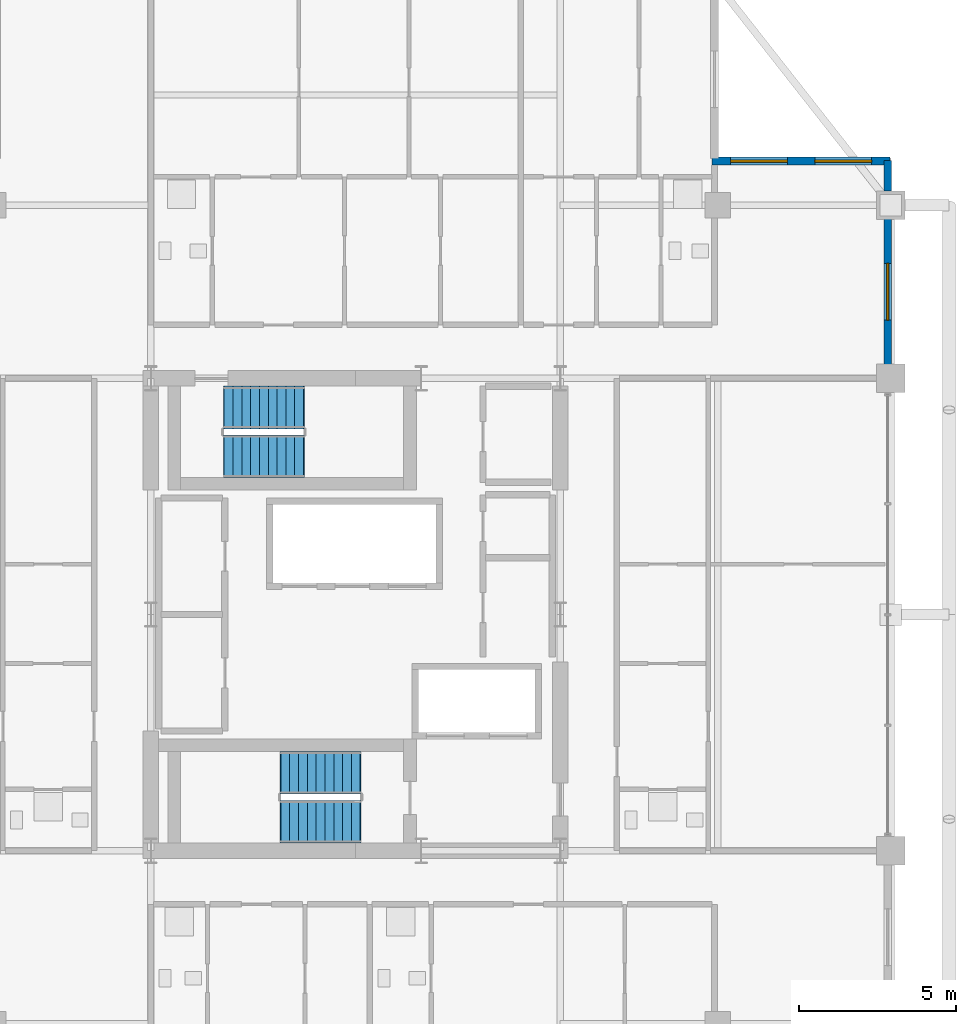
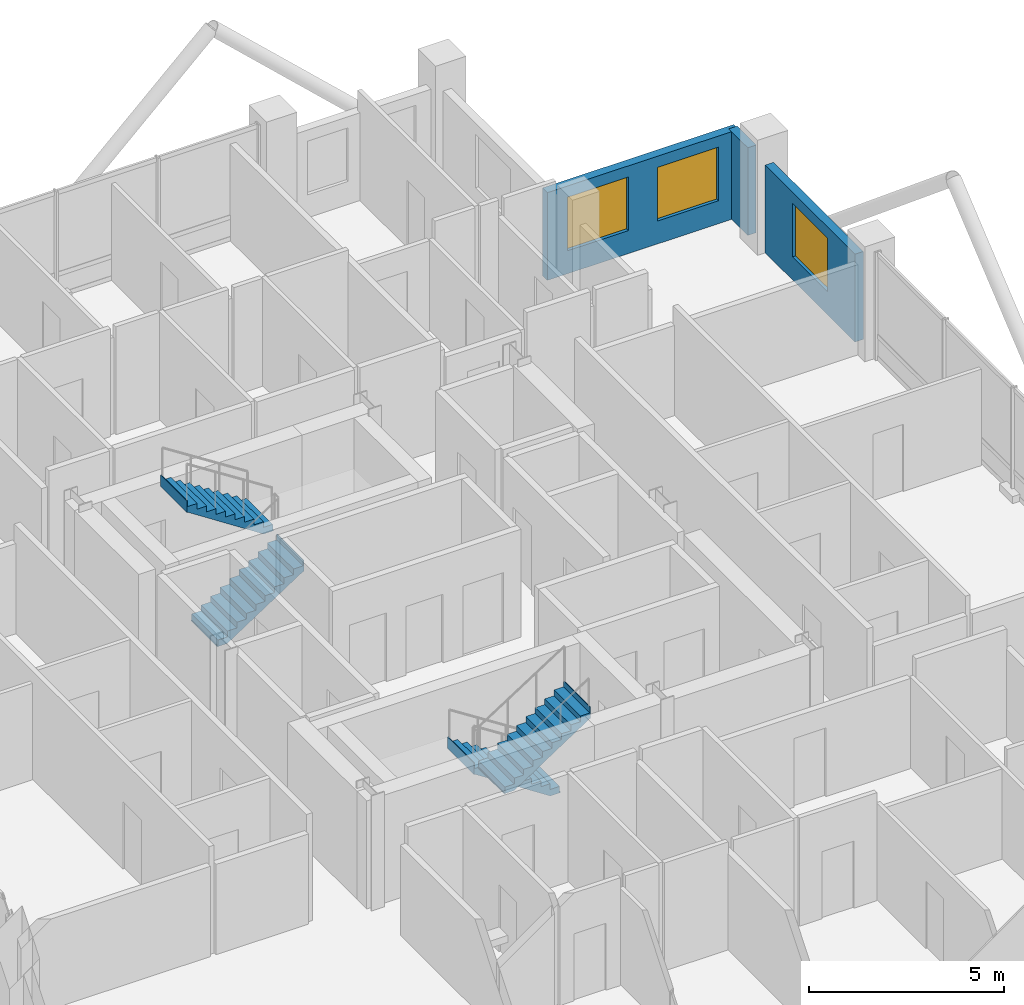
# One storey, part 23 of 25: 4 stair flights, 3 walls, 3 windows, 3 openings, 2 elements without a shape of their own.
"""IFC4 building model written with IfcOpenShell, lengths in metres."""

from ifc_helpers import new_model, si_unit, direction, frame, frame_2d, origin, place, context, subcontext, project, spatial, polyline, rectangle, outline, extrude, material, layer, layer_set, type_object, element, fill, aggregate, save


model = new_model("IFC4")

# Units and contexts
model_context = context("Model", 3, precision=1e-05, world=origin(), true_north=direction((0.0, 1.0)))
body_context = subcontext(model_context, "Body", "Model", "MODEL_VIEW")
ifc_project = project(units=[si_unit("LENGTHUNIT", "METRE"), si_unit("AREAUNIT", "SQUARE_METRE"), si_unit("VOLUMEUNIT", "CUBIC_METRE"), si_unit("PLANEANGLEUNIT", "RADIAN"), si_unit("MASSUNIT", "GRAM", prefix="KILO")], contexts=[model_context])

# Site, building, storey
site_placement = place(None, origin())
site = spatial("IfcSite", under=ifc_project, at=site_placement, CompositionType="ELEMENT")
building_placement = place(site_placement, origin())
building = spatial("IfcBuilding", under=site, at=building_placement, Name="Barlavira Tower and Art Museum", CompositionType="ELEMENT")
storey_placement = place(building_placement, frame((0.0, 0.0, 229.5)))
storey = spatial("IfcBuildingStorey", under=building, at=storey_placement, Name="L59", CompositionType="ELEMENT", Elevation=229.5)

# Wall, opening, window
ifc_material_1 = material(Name="Precast concrete C40", Category="concrete")
ifc_layer = layer(ifc_material_1, 0.25, Name="Precast concrete C40")
ifc_layer_set = layer_set([ifc_layer], Name="Precast concrete C40")
wall_type = type_object("IfcWallType", Name="Notched Corner Spandrel Wall 250 Precast Concrete C40", PredefinedType="SOLIDWALL", material=ifc_layer_set)
wall_1_placement = place(storey_placement, frame((16.89990234375, 7.945068359375, 0.0), z_axis=(0.0, 0.0, 1.0), x_axis=(0.0, 1.0, 0.0)))
wall_1 = element("IfcWall", 1, at=wall_1_placement, inside=storey, type_object=wall_type, Name="L59 Coastal Facade Pier Wall CW4-L59-E-4", PredefinedType="SOLIDWALL", context=body_context, shape_type="SweptSolid", body=[
    extrude(rectangle(XDim=4.60986328125, YDim=0.25, at=frame_2d((2.304931640625, 0.0))), origin(), (0.0, 0.0, 1.0), 2.748046875),
])
opening_1_placement = place(wall_1_placement, frame((1.405029296875, 0.0, 0.719970703125)))
opening_1 = element("IfcOpeningElement", 2, at=opening_1_placement, cuts=wall_1, Name="Opening WN-01", PredefinedType="OPENING", context=body_context, shape_type="SweptSolid", body=[
    extrude(rectangle(XDim=1.800048828125, YDim=1.679931640625, at=frame_2d((0.89990234375, 0.83984375))), frame((0.0, 0.135009765625, 0.0), z_axis=(0.0, -1.0, 0.0), x_axis=(1.0, 0.0, 0.0)), (0.0, 0.0, 1.0), 0.27001953125),
])
ifc_material_2 = material(Name="Low-iron coastal laminated glass", Category="glass")
window_type = type_object("IfcWindowType", Name="Recessed Notch Corner Punch Window 1800x1680", PartitioningType="SINGLE_PANEL", PredefinedType="WINDOW", material=ifc_material_2)
window_1_placement = place(opening_1_placement, origin())
window_1 = element("IfcWindow", 3, at=window_1_placement, inside=storey, type_object=window_type, Name="L59 Punched Facade Window EWP-CW4-L59-E-4-1", OverallHeight=1.679931640625, OverallWidth=1.800048828125, PartitioningType="SINGLE_PANEL", PredefinedType="WINDOW", context=body_context, shape_type="SweptSolid", body=[
    extrude(rectangle(XDim=1.800048828125, YDim=1.679931640625, at=frame_2d((0.89990234375, 0.83984375))), frame((0.0, 0.030029296875, 0.0), z_axis=(0.0, -1.0, 0.0), x_axis=(1.0, 0.0, 0.0)), (0.0, 0.0, 1.0), 0.06005859375),
])
fill(opening_1, window_1)

# Wall
wall_2_placement = place(storey_placement, frame((16.89990234375, 13.445068359375, 0.0), z_axis=(0.0, 0.0, 1.0), x_axis=(0.0, 1.0, 0.0)))
element("IfcWall", 4, at=wall_2_placement, inside=storey, type_object=wall_type, Name="L59 Coastal Facade Pier Wall CW4-L59-E-5", PredefinedType="SOLIDWALL", context=body_context, shape_type="SweptSolid", body=[
    extrude(rectangle(XDim=0.97998046875, YDim=0.25, at=frame_2d((0.489990234375, 0.0))), origin(), (0.0, 0.0, 1.0), 2.748046875),
])

# Wall, openings, windows
wall_3_placement = place(storey_placement, frame((16.97998046875, 14.39990234375, 0.0), z_axis=(0.0, 0.0, 1.0), x_axis=(-1.0, 0.0, 0.0)))
wall_3 = element("IfcWall", 5, at=wall_3_placement, inside=storey, type_object=wall_type, Name="L59 Notch Corner Wall NE1", PredefinedType="SOLIDWALL", context=body_context, shape_type="SweptSolid", body=[
    extrude(rectangle(XDim=5.659912109375, YDim=0.25, at=frame_2d((2.830078125, 0.0))), origin(), (0.0, 0.0, 1.0), 2.748046875),
])
opening_2_placement = place(wall_3_placement, frame((0.594970703125, 0.0, 0.719970703125)))
opening_2 = element("IfcOpeningElement", 6, at=opening_2_placement, cuts=wall_3, Name="Opening WN-01", PredefinedType="OPENING", context=body_context, shape_type="SweptSolid", body=[
    extrude(rectangle(XDim=1.800048828125, YDim=1.679931640625, at=frame_2d((0.89990234375, 0.83984375))), frame((0.0, 0.135009765625, 0.0), z_axis=(0.0, -1.0, 0.0), x_axis=(1.0, 0.0, 0.0)), (0.0, 0.0, 1.0), 0.27001953125),
])
opening_3_placement = place(wall_3_placement, frame((3.264892578125, 0.0, 0.719970703125)))
opening_3 = element("IfcOpeningElement", 7, at=opening_3_placement, cuts=wall_3, Name="Opening WN-01", PredefinedType="OPENING", context=body_context, shape_type="SweptSolid", body=[
    extrude(rectangle(XDim=1.800048828125, YDim=1.679931640625, at=frame_2d((0.89990234375, 0.83984375))), frame((0.0, 0.135009765625, 0.0), z_axis=(0.0, -1.0, 0.0), x_axis=(1.0, 0.0, 0.0)), (0.0, 0.0, 1.0), 0.27001953125),
])
window_2_placement = place(opening_2_placement, origin())
window_2 = element("IfcWindow", 8, at=window_2_placement, inside=storey, type_object=window_type, Name="L59 Punched Facade Window EW-NTC-L59-NE1-1", OverallHeight=1.679931640625, OverallWidth=1.800048828125, PartitioningType="SINGLE_PANEL", PredefinedType="WINDOW", context=body_context, shape_type="SweptSolid", body=[
    extrude(rectangle(XDim=1.800048828125, YDim=1.679931640625, at=frame_2d((0.89990234375, 0.83984375))), frame((0.0, 0.030029296875, 0.0), z_axis=(0.0, -1.0, 0.0), x_axis=(1.0, 0.0, 0.0)), (0.0, 0.0, 1.0), 0.06005859375),
])
fill(opening_2, window_2)
window_3_placement = place(opening_3_placement, origin())
window_3 = element("IfcWindow", 9, at=window_3_placement, inside=storey, type_object=window_type, Name="L59 Punched Facade Window EW-NTC-L59-NE1-2", OverallHeight=1.679931640625, OverallWidth=1.800048828125, PartitioningType="SINGLE_PANEL", PredefinedType="WINDOW", context=body_context, shape_type="SweptSolid", body=[
    extrude(rectangle(XDim=1.800048828125, YDim=1.679931640625, at=frame_2d((0.89990234375, 0.83984375))), frame((0.0, 0.030029296875, 0.0), z_axis=(0.0, -1.0, 0.0), x_axis=(1.0, 0.0, 0.0)), (0.0, 0.0, 1.0), 0.06005859375),
])
fill(opening_3, window_3)

# Stair, stair flights
ifc_material_3 = material(Name="Concrete C45", Category="concrete")
stair_type_1 = type_object("IfcStairType", Name="Tower North Dog-Leg Exit Stair Assembly Concrete C45", PredefinedType="TWO_QUARTER_TURN_STAIR", material=ifc_material_3)
stair_1_placement = place(storey_placement, origin())
stair_1 = element("IfcStair", 10, at=stair_1_placement, inside=storey, type_object=stair_type_1, Name="L59 Tower North Exit Stair ST-T2", PredefinedType="TWO_QUARTER_TURN_STAIR")
ifc_material_4 = material(Name="Precast concrete C45", Category="concrete")
stair_flight_type_1 = type_object("IfcStairFlightType", Name="Tower North Dog-Leg Exit Stair Precast Flight 1350 Concrete C45", PredefinedType="STRAIGHT", material=ifc_material_4)
stair_flight_1_placement = place(storey_placement, frame((-4.169921875, 5.02490234375, 0.0), z_axis=(0.0, 0.0, 1.0), x_axis=(1.0, 0.0, 0.0)))
stair_flight_1 = element("IfcStairFlight", 11, at=stair_flight_1_placement, type_object=stair_flight_type_1, Name="ST-T2 flight 1", NumberOfRisers=10, NumberOfTreads=9, PredefinedType="STRAIGHT", RiserHeight=0.18, TreadLength=0.28, context=body_context, shape_type="SweptSolid", body=[
    extrude(outline(polyline([(-0.02490234375, 0.0), (0.0, 0.0), (0.0, 0.179931640625), (0.280029296875, 0.179931640625), (0.280029296875, 0.360107421875), (0.56005859375, 0.360107421875), (0.56005859375, 0.5400390625), (0.840087890625, 0.5400390625), (0.840087890625, 0.719970703125), (1.1201171875, 0.719970703125), (1.1201171875, 0.89990234375), (1.39990234375, 0.89990234375), (1.39990234375, 1.080078125), (1.679931640625, 1.080078125), (1.679931640625, 1.260009765625), (1.9599609375, 1.260009765625), (1.9599609375, 1.43994140625), (2.239990234375, 1.43994140625), (2.239990234375, 1.6201171875), (2.52001953125, 1.6201171875), (2.52001953125, 1.800048828125), (2.544921875, 1.800048828125), (2.544921875, 1.44189453125), (2.52001953125, 1.44189453125), (0.277099609375, -0.02490234375), (-0.02490234375, -0.02490234375), (-0.02490234375, 0.0)])), frame((0.0, 0.675048828125, 0.0), z_axis=(0.0, -1.0, 0.0), x_axis=(1.0, 0.0, 0.0)), (0.0, 0.0, 1.0), 1.35009765625),
])
stair_flight_2_placement = place(storey_placement, frame((-1.64990234375, 6.574951171875, 1.800048828125), z_axis=(0.0, 0.0, 1.0), x_axis=(-1.0, 0.0, 0.0)))
stair_flight_2 = element("IfcStairFlight", 12, at=stair_flight_2_placement, type_object=stair_flight_type_1, Name="ST-T2 flight 2", NumberOfRisers=10, NumberOfTreads=9, PredefinedType="STRAIGHT", RiserHeight=0.18, TreadLength=0.28, context=body_context, shape_type="SweptSolid", body=[
    extrude(outline(polyline([(-0.02490234375, 0.0), (0.0, 0.0), (0.0, 0.179931640625), (0.280029296875, 0.179931640625), (0.280029296875, 0.360107421875), (0.56005859375, 0.360107421875), (0.56005859375, 0.5400390625), (0.840087890625, 0.5400390625), (0.840087890625, 0.719970703125), (1.1201171875, 0.719970703125), (1.1201171875, 0.89990234375), (1.39990234375, 0.89990234375), (1.39990234375, 1.080078125), (1.679931640625, 1.080078125), (1.679931640625, 1.260009765625), (1.9599609375, 1.260009765625), (1.9599609375, 1.43994140625), (2.239990234375, 1.43994140625), (2.239990234375, 1.6201171875), (2.52001953125, 1.6201171875), (2.52001953125, 1.800048828125), (2.544921875, 1.800048828125), (2.544921875, 1.44189453125), (2.52001953125, 1.44189453125), (0.277099609375, -0.02490234375), (-0.02490234375, -0.02490234375), (-0.02490234375, 0.0)])), frame((0.0, 0.675048828125, 0.0), z_axis=(0.0, -1.0, 0.0), x_axis=(1.0, 0.0, 0.0)), (0.0, 0.0, 1.0), 1.35009765625),
])
aggregate(stair_1, [stair_flight_1, stair_flight_2])

stair_type_2 = type_object("IfcStairType", Name="Tower South Dog-Leg Exit Stair Assembly Concrete C45", PredefinedType="TWO_QUARTER_TURN_STAIR", material=ifc_material_3)
stair_2_placement = place(storey_placement, origin())
stair_2 = element("IfcStair", 13, at=stair_2_placement, inside=storey, type_object=stair_type_2, Name="L59 Tower South Exit Stair ST-T1", PredefinedType="TWO_QUARTER_TURN_STAIR")
stair_flight_type_2 = type_object("IfcStairFlightType", Name="Tower South Dog-Leg Exit Stair Precast Flight 1350 Concrete C45", PredefinedType="STRAIGHT", material=ifc_material_4)
stair_flight_3_placement = place(storey_placement, frame((0.14990234375, -5.02490234375, 0.0), z_axis=(0.0, 0.0, 1.0), x_axis=(-1.0, 0.0, 0.0)))
stair_flight_3 = element("IfcStairFlight", 14, at=stair_flight_3_placement, type_object=stair_flight_type_2, Name="ST-T1 flight 1", NumberOfRisers=10, NumberOfTreads=9, PredefinedType="STRAIGHT", RiserHeight=0.18, TreadLength=0.28, context=body_context, shape_type="SweptSolid", body=[
    extrude(outline(polyline([(-0.02490234375, 0.0), (0.0, 0.0), (0.0, 0.179931640625), (0.280029296875, 0.179931640625), (0.280029296875, 0.360107421875), (0.56005859375, 0.360107421875), (0.56005859375, 0.5400390625), (0.840087890625, 0.5400390625), (0.840087890625, 0.719970703125), (1.1201171875, 0.719970703125), (1.1201171875, 0.89990234375), (1.39990234375, 0.89990234375), (1.39990234375, 1.080078125), (1.679931640625, 1.080078125), (1.679931640625, 1.260009765625), (1.9599609375, 1.260009765625), (1.9599609375, 1.43994140625), (2.239990234375, 1.43994140625), (2.239990234375, 1.6201171875), (2.52001953125, 1.6201171875), (2.52001953125, 1.800048828125), (2.544921875, 1.800048828125), (2.544921875, 1.44189453125), (2.52001953125, 1.44189453125), (0.277099609375, -0.02490234375), (-0.02490234375, -0.02490234375), (-0.02490234375, 0.0)])), frame((0.0, 0.675048828125, 0.0), z_axis=(0.0, -1.0, 0.0), x_axis=(1.0, 0.0, 0.0)), (0.0, 0.0, 1.0), 1.35009765625),
])
stair_flight_4_placement = place(storey_placement, frame((-2.3701171875, -6.574951171875, 1.800048828125), z_axis=(0.0, 0.0, 1.0), x_axis=(1.0, 0.0, 0.0)))
stair_flight_4 = element("IfcStairFlight", 15, at=stair_flight_4_placement, type_object=stair_flight_type_2, Name="ST-T1 flight 2", NumberOfRisers=10, NumberOfTreads=9, PredefinedType="STRAIGHT", RiserHeight=0.18, TreadLength=0.28, context=body_context, shape_type="SweptSolid", body=[
    extrude(outline(polyline([(-0.02490234375, 0.0), (0.0, 0.0), (0.0, 0.179931640625), (0.280029296875, 0.179931640625), (0.280029296875, 0.360107421875), (0.56005859375, 0.360107421875), (0.56005859375, 0.5400390625), (0.840087890625, 0.5400390625), (0.840087890625, 0.719970703125), (1.1201171875, 0.719970703125), (1.1201171875, 0.89990234375), (1.39990234375, 0.89990234375), (1.39990234375, 1.080078125), (1.679931640625, 1.080078125), (1.679931640625, 1.260009765625), (1.9599609375, 1.260009765625), (1.9599609375, 1.43994140625), (2.239990234375, 1.43994140625), (2.239990234375, 1.6201171875), (2.52001953125, 1.6201171875), (2.52001953125, 1.800048828125), (2.544921875, 1.800048828125), (2.544921875, 1.44189453125), (2.52001953125, 1.44189453125), (0.277099609375, -0.02490234375), (-0.02490234375, -0.02490234375), (-0.02490234375, 0.0)])), frame((0.0, 0.675048828125, 0.0), z_axis=(0.0, -1.0, 0.0), x_axis=(1.0, 0.0, 0.0)), (0.0, 0.0, 1.0), 1.35009765625),
])
aggregate(stair_2, [stair_flight_3, stair_flight_4])

save(model, "model.ifc")
